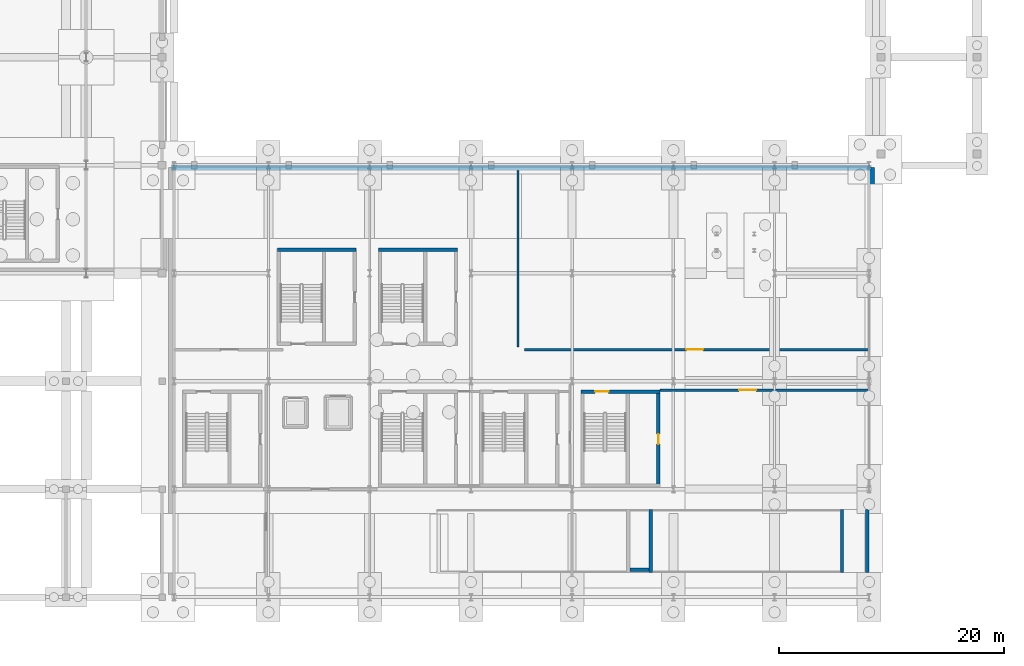
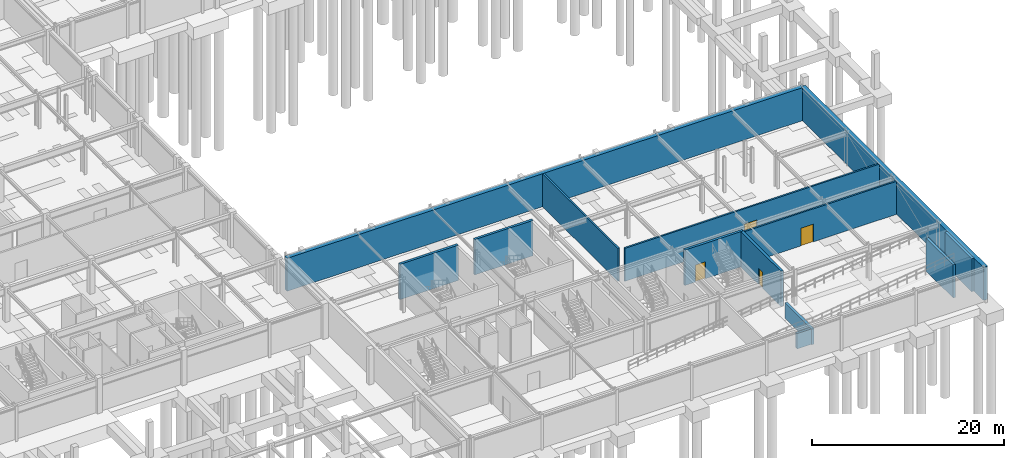
# One storey, part 44 of 59: 13 walls, 4 doors, 4 openings.
"""IFC4 building model written with IfcOpenShell, lengths in metres."""

from ifc_helpers import new_model, si_unit, direction, frame, frame_2d, origin, place, context, subcontext, project, spatial, rectangle, extrude, material, layer, layer_set, type_object, element, fill, save


model = new_model("IFC4")

# Units and contexts
model_context = context("Model", 3, precision=1e-05, world=origin(), true_north=direction((0.0, 1.0)))
body_context = subcontext(model_context, "Body", "Model", "MODEL_VIEW")
ifc_project = project(units=[si_unit("LENGTHUNIT", "METRE"), si_unit("AREAUNIT", "SQUARE_METRE"), si_unit("VOLUMEUNIT", "CUBIC_METRE"), si_unit("PLANEANGLEUNIT", "RADIAN"), si_unit("MASSUNIT", "GRAM", prefix="KILO")], contexts=[model_context])

# Site, building, storey
site_placement = place(None, origin())
site = spatial("IfcSite", under=ifc_project, at=site_placement, CompositionType="ELEMENT")
building_placement = place(site_placement, origin())
building = spatial("IfcBuilding", under=site, at=building_placement, Name="Myrtia Square Station", CompositionType="ELEMENT")
storey_placement = place(building_placement, frame((0.0, 0.0, -4.5)))
storey = spatial("IfcBuildingStorey", under=building, at=storey_placement, Name="B01", CompositionType="ELEMENT", Elevation=-4.5)

# Walls
ifc_material_1 = material(Name="Concrete C35/45", Category="concrete")
ifc_layer_1 = layer(ifc_material_1, 0.300048828125, Name="Concrete C35/45")
ifc_layer_set_1 = layer_set([ifc_layer_1], Name="Concrete C35/45")
wall_type_1 = type_object("IfcWallType", Name="WL-CORE-300", PredefinedType="SHEAR", material=ifc_layer_set_1)
for number, where, z_axis, x_axis, name in (
    (1, (135.800048828125, 30.875, 0.0), (0.0, 0.0, 1.0), (1.0, 0.0, 0.0), "Core K9 shear wall B01 N"),
    (2, (126.800048828125, 30.875, 0.0), (0.0, 0.0, 1.0), (1.0, 0.0, 0.0), "Core K10 shear wall B01 N"),
):
    element("IfcWall", number, at=place(storey_placement, frame(where, z_axis=z_axis, x_axis=x_axis)), inside=storey, type_object=wall_type_1, Name=name, PredefinedType="SHEAR", context=body_context, shape_type="SweptSolid", body=[
        extrude(rectangle(XDim=7.0, YDim=0.300048828125, at=frame_2d((3.5, 0.0))), origin(), (0.0, 0.0, 1.0), 4.5),
    ])

# Wall, opening, door
wall_1_placement = place(storey_placement, frame((153.800048828125, 18.27490234375, 0.0), z_axis=(0.0, 0.0, 1.0), x_axis=(1.0, 0.0, 0.0)))
wall_1 = element("IfcWall", 3, at=wall_1_placement, inside=storey, type_object=wall_type_1, Name="Core K14 shear wall B01 N", PredefinedType="SHEAR", context=body_context, shape_type="SweptSolid", body=[
    extrude(rectangle(XDim=7.0, YDim=0.300048828125, at=frame_2d((3.5, 0.0))), origin(), (0.0, 0.0, 1.0), 4.5),
])
opening_1_placement = place(wall_1_placement, frame((1.25, 0.0, 0.0)))
opening_1 = element("IfcOpeningElement", 4, at=opening_1_placement, cuts=wall_1, Name="Opening SD-099", PredefinedType="OPENING", context=body_context, shape_type="SweptSolid", body=[
    extrude(rectangle(XDim=1.199951171875, YDim=2.14990234375, at=frame_2d((0.60009765625, 1.074951171875))), frame((0.0, 0.1650390625, 0.0), z_axis=(0.0, -1.0, 0.0), x_axis=(1.0, 0.0, 0.0)), (0.0, 0.0, 1.0), 0.330078125),
])
ifc_material_2 = material(Name="Dark bronze anodised aluminium", Category="aluminium")
door_type_1 = type_object("IfcDoorType", Name="DR-STAIR-1200x2150", OperationType="NOTDEFINED", PredefinedType="DOOR", material=ifc_material_2)
door_1_placement = place(opening_1_placement, frame((1.199951171875, 0.0, 0.0), z_axis=(0.0, 0.0, 1.0), x_axis=(-1.0, 0.0, 0.0)))
door_1 = element("IfcDoor", 5, at=door_1_placement, inside=storey, type_object=door_type_1, Name="Protected stair fire door K14 B01", OperationType="SINGLE_SWING_LEFT", OverallHeight=2.14990234375, OverallWidth=1.199951171875, PredefinedType="DOOR", context=body_context, shape_type="SweptSolid", body=[
    extrude(rectangle(XDim=1.199951171875, YDim=2.14990234375, at=frame_2d((0.60009765625, 1.074951171875))), frame((0.0, 0.02490234375, 0.0), z_axis=(0.0, -1.0, 0.0), x_axis=(1.0, 0.0, 0.0)), (0.0, 0.0, 1.0), 0.050048828125),
])
fill(opening_1, door_1)

wall_2_placement = place(storey_placement, frame((160.675048828125, 9.800048828125, 0.0), z_axis=(0.0, 0.0, 1.0), x_axis=(0.0, 1.0, 0.0)))
wall_2 = element("IfcWall", 6, at=wall_2_placement, inside=storey, type_object=wall_type_1, Name="Core K14 shear wall B01 E", PredefinedType="SHEAR", context=body_context, shape_type="SweptSolid", body=[
    extrude(rectangle(XDim=8.599853515625, YDim=0.300048828125, at=frame_2d((4.2998046875, 0.0))), origin(), (0.0, 0.0, 1.0), 4.5),
])
opening_2_placement = place(wall_2_placement, frame((3.800048828125, 0.0, 0.0)))
opening_2 = element("IfcOpeningElement", 7, at=opening_2_placement, cuts=wall_2, Name="Opening RD-100", PredefinedType="OPENING", context=body_context, shape_type="SweptSolid", body=[
    extrude(rectangle(XDim=0.89990234375, YDim=2.050048828125, at=frame_2d((0.449951171875, 1.02490234375))), frame((0.0, 0.1650390625, 0.0), z_axis=(0.0, -1.0, 0.0), x_axis=(1.0, 0.0, 0.0)), (0.0, 0.0, 1.0), 0.330078125),
])
door_type_2 = type_object("IfcDoorType", Name="DR-RISER-900x2050", OperationType="NOTDEFINED", PredefinedType="DOOR", material=ifc_material_2)
door_2_placement = place(opening_2_placement, origin())
door_2 = element("IfcDoor", 8, at=door_2_placement, inside=storey, type_object=door_type_2, Name="Riser cupboard access door K14 B01", OperationType="SINGLE_SWING_RIGHT", OverallHeight=2.050048828125, OverallWidth=0.89990234375, PredefinedType="DOOR", context=body_context, shape_type="SweptSolid", body=[
    extrude(rectangle(XDim=0.89990234375, YDim=2.050048828125, at=frame_2d((0.449951171875, 1.02490234375))), frame((0.0, 0.02490234375, 0.0), z_axis=(0.0, -1.0, 0.0), x_axis=(1.0, 0.0, 0.0)), (0.0, 0.0, 1.0), 0.050048828125),
])
fill(opening_2, door_2)

# Walls
wall_3_placement = place(storey_placement, frame((160.0, 2.199951171875, 0.0), z_axis=(0.0, 0.0, 1.0), x_axis=(0.0, 1.0, 0.0)))
element("IfcWall", 9, at=wall_3_placement, inside=storey, type_object=wall_type_1, Name="Vehicle ramp VR1 support wall 2", PredefinedType="SHEAR", context=body_context, shape_type="SweptSolid", body=[
    extrude(rectangle(XDim=5.60009765625, YDim=0.300048828125, at=frame_2d((2.800048828125, 0.0))), origin(), (0.0, 0.0, 1.0), 1.949951171875),
])
for number, where, z_axis, x_axis, name in (
    (10, (177.0, 2.199951171875, 0.0), (0.0, 0.0, 1.0), (0.0, 1.0, 0.0), "Vehicle ramp VR1 support wall 3"),
    (11, (179.25, 2.199951171875, 0.0), (0.0, 0.0, 1.0), (0.0, 1.0, 0.0), "Vehicle ramp VR1 support wall 4"),
):
    element("IfcWall", number, at=place(storey_placement, frame(where, z_axis=z_axis, x_axis=x_axis)), inside=storey, type_object=wall_type_1, Name=name, PredefinedType="SHEAR", context=body_context, shape_type="SweptSolid", body=[
        extrude(rectangle(XDim=5.60009765625, YDim=0.300048828125, at=frame_2d((2.800048828125, 0.0))), origin(), (0.0, 0.0, 1.0), 4.199951171875),
    ])
wall_4_placement = place(storey_placement, frame((158.14990234375, 2.449951171875, 0.0), z_axis=(0.0, 0.0, 1.0), x_axis=(1.0, 0.0, 0.0)))
element("IfcWall", 12, at=wall_4_placement, inside=storey, type_object=wall_type_1, Name="Vehicle ramp VR1 cheek support wall", PredefinedType="SHEAR", context=body_context, shape_type="SweptSolid", body=[
    extrude(rectangle(XDim=1.7001953125, YDim=0.300048828125, at=frame_2d((0.85009765625, 0.0))), origin(), (0.0, 0.0, 1.0), 1.949951171875),
])

# Wall, opening, door
ifc_material_3 = material(Name="Cream lime stucco on clay brick masonry", Category="masonry")
ifc_layer_2 = layer(ifc_material_3, 0.199951171875, Name="Cream lime stucco on clay brick masonry")
ifc_layer_set_2 = layer_set([ifc_layer_2], Name="Cream lime stucco on clay brick masonry")
wall_type_2 = type_object("IfcWallType", Name="WL-PART-200", PredefinedType="PARTITIONING", material=ifc_layer_set_2)
wall_5_placement = place(storey_placement, frame((148.75, 22.0, 0.0), z_axis=(0.0, 0.0, 1.0), x_axis=(1.0, 0.0, 0.0)))
wall_5 = element("IfcWall", 13, at=wall_5_placement, inside=storey, type_object=wall_type_2, Name="Interior partition wall B01-08", PredefinedType="PARTITIONING", context=body_context, shape_type="SweptSolid", body=[
    extrude(rectangle(XDim=30.614990234375, YDim=0.199951171875, at=frame_2d((15.3076171875, 0.0))), origin(), (0.0, 0.0, 1.0), 4.199951171875),
])
opening_3_placement = place(wall_5_placement, frame((14.39990234375, 0.0, 0.0)))
opening_3 = element("IfcOpeningElement", 14, at=opening_3_placement, cuts=wall_5, Name="Opening D-205", PredefinedType="OPENING", context=body_context, shape_type="SweptSolid", body=[
    extrude(rectangle(XDim=1.5, YDim=2.25, at=frame_2d((0.75, 1.125))), frame((0.0, 0.114990234375, 0.0), z_axis=(0.0, -1.0, 0.0), x_axis=(1.0, 0.0, 0.0)), (0.0, 0.0, 1.0), 0.22998046875),
])
door_type_3 = type_object("IfcDoorType", Name="DR-PLANT-1500x2250", OperationType="NOTDEFINED", PredefinedType="DOOR", material=ifc_material_2)
door_3_placement = place(opening_3_placement, frame((1.5, 0.0, 0.0), z_axis=(0.0, 0.0, 1.0), x_axis=(-1.0, 0.0, 0.0)))
door_3 = element("IfcDoor", 15, at=door_3_placement, inside=storey, type_object=door_type_3, Name="Retail Cold Storage and Catering Store door D-205", OperationType="SINGLE_SWING_LEFT", OverallHeight=2.25, OverallWidth=1.5, PredefinedType="DOOR", context=body_context, shape_type="SweptSolid", body=[
    extrude(rectangle(XDim=1.5, YDim=2.25, at=frame_2d((0.75, 1.125))), frame((0.0, 0.02490234375, 0.0), z_axis=(0.0, -1.0, 0.0), x_axis=(1.0, 0.0, 0.0)), (0.0, 0.0, 1.0), 0.050048828125),
])
fill(opening_3, door_3)

wall_6_placement = place(storey_placement, frame((160.830078125, 18.39990234375, 0.0), z_axis=(0.0, 0.0, 1.0), x_axis=(1.0, 0.0, 0.0)))
wall_6 = element("IfcWall", 16, at=wall_6_placement, inside=storey, type_object=wall_type_2, Name="Interior partition wall B01-09", PredefinedType="PARTITIONING", context=body_context, shape_type="SweptSolid", body=[
    extrude(rectangle(XDim=18.534912109375, YDim=0.199951171875, at=frame_2d((9.267578125, 0.0))), origin(), (0.0, 0.0, 1.0), 4.199951171875),
])
opening_4_placement = place(wall_6_placement, frame((7.02490234375, 0.0, 0.0)))
opening_4 = element("IfcOpeningElement", 17, at=opening_4_placement, cuts=wall_6, Name="Opening D-206", PredefinedType="OPENING", context=body_context, shape_type="SweptSolid", body=[
    extrude(rectangle(XDim=1.5, YDim=2.25, at=frame_2d((0.75, 1.125))), frame((0.0, 0.114990234375, 0.0), z_axis=(0.0, -1.0, 0.0), x_axis=(1.0, 0.0, 0.0)), (0.0, 0.0, 1.0), 0.22998046875),
])
door_4_placement = place(opening_4_placement, origin())
door_4 = element("IfcDoor", 18, at=door_4_placement, inside=storey, type_object=door_type_3, Name="Staff Cycle Store door D-206", OperationType="SINGLE_SWING_RIGHT", OverallHeight=2.25, OverallWidth=1.5, PredefinedType="DOOR", context=body_context, shape_type="SweptSolid", body=[
    extrude(rectangle(XDim=1.5, YDim=2.25, at=frame_2d((0.75, 1.125))), frame((0.0, 0.02490234375, 0.0), z_axis=(0.0, -1.0, 0.0), x_axis=(1.0, 0.0, 0.0)), (0.0, 0.0, 1.0), 0.050048828125),
])
fill(opening_4, door_4)

# Walls
wall_7_placement = place(storey_placement, frame((148.199951171875, 22.25, 0.0), z_axis=(0.0, 0.0, 1.0), x_axis=(0.0, 1.0, 0.0)))
element("IfcWall", 19, at=wall_7_placement, inside=storey, type_object=wall_type_2, Name="Room divider partition B01-07", PredefinedType="PARTITIONING", context=body_context, shape_type="SweptSolid", body=[
    extrude(rectangle(XDim=15.675048828125, YDim=0.199951171875, at=frame_2d((7.83740234375, 0.0))), origin(), (0.0, 0.0, 1.0), 4.199951171875),
])
ifc_layer_3 = layer(ifc_material_1, 0.5, Name="Concrete C35/45")
ifc_layer_set_3 = layer_set([ifc_layer_3], Name="Concrete C35/45")
wall_type_3 = type_object("IfcWallType", Name="WL-RET-500", PredefinedType="SHEAR", material=ifc_layer_set_3)
wall_8_placement = place(storey_placement, frame((179.6201171875, 0.219970703125, 0.0), z_axis=(0.0, 0.0, 1.0), x_axis=(0.0, 1.0, 0.0)))
element("IfcWall", 20, at=wall_8_placement, inside=storey, type_object=wall_type_3, Name="Basement retaining wall V4-06", PredefinedType="SHEAR", context=body_context, shape_type="SweptSolid", body=[
    extrude(rectangle(XDim=37.9599609375, YDim=0.5, at=frame_2d((18.97998046875, 0.0))), origin(), (0.0, 0.0, 1.0), 4.199951171875),
])
wall_9_placement = place(storey_placement, frame((179.6201171875, 38.179931640625, 0.0), z_axis=(0.0, 0.0, 1.0), x_axis=(-1.0, 0.0, 0.0)))
element("IfcWall", 21, at=wall_9_placement, inside=storey, type_object=wall_type_3, Name="Basement retaining wall V4-07", PredefinedType="SHEAR", context=body_context, shape_type="SweptSolid", body=[
    extrude(rectangle(XDim=62.240234375, YDim=0.5, at=frame_2d((31.1201171875, 0.0))), origin(), (0.0, 0.0, 1.0), 4.199951171875),
])

save(model, "model.ifc")
